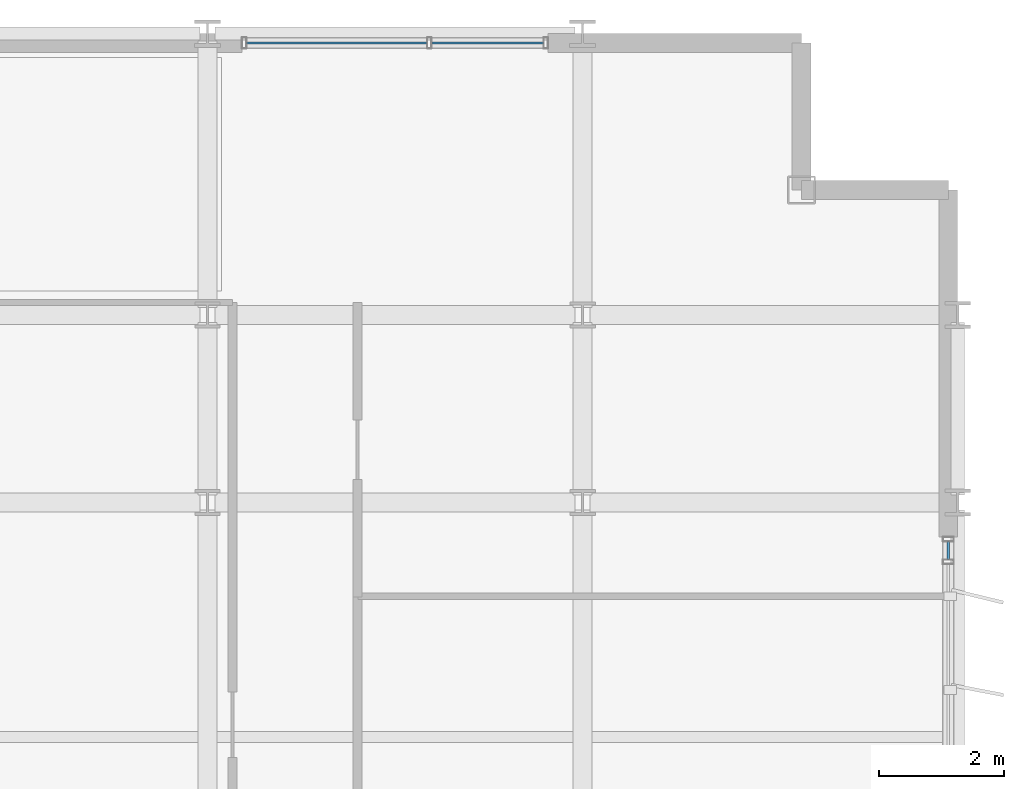
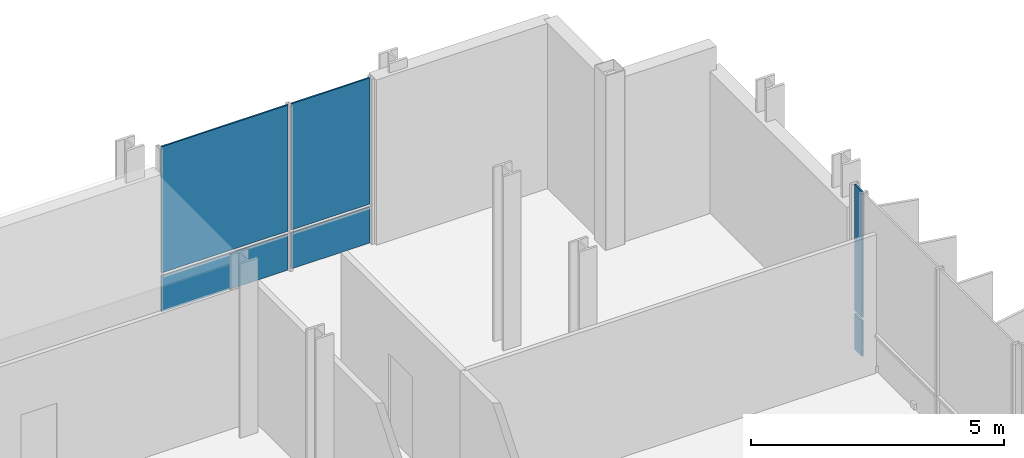
# One storey, part 23 of 32: 6 plates, 2 elements without a shape of their own.
"""IFC4 building model written with IfcOpenShell, lengths in metres."""

import ifcopenshell
import ifcopenshell.guid

model = None  # the IFC model being written
_history = None  # IfcOwnerHistory: only IFC2X3 demands one
_inside = {}  # id of a spatial element -> (the spatial element, [elements in it])
_under = {}  # id of a project, library or spatial element -> (it, [spatial elements below it])
_declared = {}  # id of a project -> (the project, [libraries it declares])
_typed = {}  # id of a type object -> (the type object, [elements of that type])
_made_of = {}  # id of a material, layer set ... -> (it, [elements and type objects made of it])


def new_model(schema):
    """Start an empty IFC model of exactly this schema.

    Asked for "IFC4X3", IfcOpenShell would pick the latest addendum, in which some entities
    have other attributes; the version numbers below select the first issue.
    IFC2X3 requires an IfcOwnerHistory on every rooted entity: one is made here for all.
    """
    global model, _history
    if schema == "IFC4X3":
        model = ifcopenshell.file(schema_version=(4, 3, 0, 0))
    else:
        model = ifcopenshell.file(schema=schema)
    _inside.clear()
    _under.clear()
    _declared.clear()
    _typed.clear()
    _made_of.clear()
    _history = None
    if model.schema == "IFC2X3":
        org = make("IfcOrganization", Name="unknown")
        user = make(
            "IfcPersonAndOrganization",
            ThePerson=make("IfcPerson", FamilyName="unknown"),
            TheOrganization=org,
        )
        app = make(
            "IfcApplication",
            ApplicationDeveloper=org,
            Version="unknown",
            ApplicationFullName="unknown",
            ApplicationIdentifier="unknown",
        )
        _history = make(
            "IfcOwnerHistory",
            OwningUser=user,
            OwningApplication=app,
            ChangeAction="ADDED",
            CreationDate=0,
        )
    return model


def make(cls, **values):
    """One entity of the class cls with the attributes given. An attribute that is None is left unset."""
    return model.create_entity(
        cls, **{name: value for name, value in values.items() if value is not None}
    )


def rooted(cls, **values):
    """An entity with a GlobalId (a new one), such as an element, a storey or a relation."""
    return make(cls, GlobalId=ifcopenshell.guid.new(), OwnerHistory=_history, **values)


def si_unit(unit_type, name, prefix=None):
    """IfcSIUnit, for example si_unit("LENGTHUNIT", "METRE", prefix="MILLI")."""
    return make("IfcSIUnit", UnitType=unit_type, Prefix=prefix, Name=name)


def assignment(units):
    """IfcUnitAssignment: the units of a project."""
    return None if units is None else make("IfcUnitAssignment", Units=units)


def point(xyz):
    """IfcCartesianPoint."""
    return None if xyz is None else make("IfcCartesianPoint", Coordinates=xyz)


def direction(xyz):
    """IfcDirection."""
    return None if xyz is None else make("IfcDirection", DirectionRatios=xyz)


def frame(location, z_axis=None, x_axis=None):
    """IfcAxis2Placement3D, a coordinate frame: its origin and axes. An axis left out is left unset."""
    return make(
        "IfcAxis2Placement3D",
        Location=point(location),
        Axis=direction(z_axis),
        RefDirection=direction(x_axis),
    )


def frame_2d(location, x_axis=None):
    """IfcAxis2Placement2D, a coordinate frame in the plane: its origin and x axis."""
    return make(
        "IfcAxis2Placement2D", Location=point(location), RefDirection=direction(x_axis)
    )


def origin():
    """The frame at (0, 0, 0) with its axes left unset."""
    return frame((0.0, 0.0, 0.0))


def origin_2d():
    """The frame at (0, 0) in the plane with its x axis left unset."""
    return frame_2d((0.0, 0.0))


def place(relative_to, where):
    """IfcLocalPlacement: puts the frame where relative to a parent placement (None: the world)."""
    return make(
        "IfcLocalPlacement", PlacementRelTo=relative_to, RelativePlacement=where
    )


def context(
    kind, dimensions, precision=None, world=None, true_north=None, identifier=None
):
    """IfcGeometricRepresentationContext, for example the 3D "Model" context."""
    return make(
        "IfcGeometricRepresentationContext",
        ContextIdentifier=identifier,
        ContextType=kind,
        CoordinateSpaceDimension=dimensions,
        Precision=precision,
        WorldCoordinateSystem=world,
        TrueNorth=true_north,
    )


def subcontext(parent, identifier, kind, view, scale=None):
    """IfcGeometricRepresentationSubContext, for example "Body" below "Model"."""
    return make(
        "IfcGeometricRepresentationSubContext",
        ContextIdentifier=identifier,
        ContextType=kind,
        ParentContext=parent,
        TargetScale=scale,
        TargetView=view,
    )


def project(units=None, contexts=None):
    """IfcProject with its units and contexts."""
    return rooted(
        "IfcProject",
        Name="project",
        RepresentationContexts=contexts,
        UnitsInContext=assignment(units),
    )


def spatial(cls, under=None, at=None, **own):
    """A site, building, storey or space (cls), placed at a placement, below another one or the project."""
    s = rooted(cls, ObjectPlacement=at, **own)
    if under is not None:
        _under.setdefault(under.id(), (under, []))[1].append(s)
    return s


def profile(cls, at=None, kind="AREA", **sizes):
    """A parametric profile (cls). Its sizes go by their IFC names, for example OverallWidth=200.0."""
    return make(cls, ProfileType=kind, Position=at, **sizes)


def rectangle(**sizes):
    """IfcRectangleProfileDef."""
    return profile("IfcRectangleProfileDef", **sizes)


def extrude(swept, where, along, depth):
    """IfcExtrudedAreaSolid: the profile swept, set in the frame where, extruded along a direction by depth."""
    return make(
        "IfcExtrudedAreaSolid",
        SweptArea=swept,
        Position=where,
        ExtrudedDirection=direction(along),
        Depth=depth,
    )


def shape(context_of_items, identifier, shape_type, items):
    """IfcShapeRepresentation: the items that make up one representation, for example the "Body"."""
    return make(
        "IfcShapeRepresentation",
        ContextOfItems=context_of_items,
        RepresentationIdentifier=identifier,
        RepresentationType=shape_type,
        Items=items,
    )


def material(Name=None, Category=None):
    """IfcMaterial."""
    return make("IfcMaterial", Name=Name, Category=Category)


def layer(
    of_material, thickness, ventilated=None, Name=None, Category=None, Priority=None
):
    """IfcMaterialLayer: one layer of a wall or slab, of a material (None: an air gap)."""
    return make(
        "IfcMaterialLayer",
        Material=of_material,
        LayerThickness=thickness,
        IsVentilated=ventilated,
        Name=Name,
        Category=Category,
        Priority=Priority,
    )


def layer_set(layers, Name=None):
    """IfcMaterialLayerSet."""
    return make("IfcMaterialLayerSet", MaterialLayers=layers, LayerSetName=Name)


def made_of(thing, what):
    """Note that an element or type object is made of a material, layer set ...; save() writes the relation."""
    if what is not None:
        _made_of.setdefault(what.id(), (what, []))[1].append(thing)
    return thing


def type_object(cls, material=None, **own):
    """A type object (cls), such as IfcWallType, which elements share."""
    return made_of(rooted(cls, **own), material)


def element(
    cls,
    number,
    at=None,
    inside=None,
    cuts=None,
    type_object=None,
    material=None,
    context=None,
    identifier="Body",
    shape_type=None,
    held_by="IfcProductDefinitionShape",
    body=None,
    shapes=None,
    **own,
):
    """One element of the class cls, such as IfcWall. Its Tag is "e" and its number.

    at: its placement. inside: the storey or other place that contains it. cuts: it is an
    opening in that element (IfcRelVoidsElement). A single representation is given by context,
    identifier, shape_type and body (its items); several are given by shapes. held_by: the class
    of the entity that holds the representations. save() writes the other relations.
    """
    e = rooted(cls, Tag="e%d" % number, ObjectPlacement=at, **own)
    if body is not None:
        shapes = [shape(context, identifier, shape_type, body)]
    if shapes is not None:
        e.Representation = make(held_by, Representations=shapes)
    if inside is not None:
        _inside.setdefault(inside.id(), (inside, []))[1].append(e)
    if cuts is not None:
        rooted(
            "IfcRelVoidsElement", RelatingBuildingElement=cuts, RelatedOpeningElement=e
        )
    if type_object is not None:
        _typed.setdefault(type_object.id(), (type_object, []))[1].append(e)
    return made_of(e, material)


def aggregate(whole, parts):
    """IfcRelAggregates: a whole, such as a stair, and the parts it consists of."""
    return rooted("IfcRelAggregates", RelatingObject=whole, RelatedObjects=parts)


def save(model, path):
    """Write the relations noted so far, then the file.

    IfcRelAggregates (storeys below a building ...), IfcRelContainedInSpatialStructure (elements
    in a storey), IfcRelDefinesByType, IfcRelAssociatesMaterial and IfcRelDeclares: one each for
    every whole, place, type object, material and project.
    """
    for whole, parts in _under.values():
        aggregate(whole, parts)
    for where, things in _inside.values():
        rooted(
            "IfcRelContainedInSpatialStructure",
            RelatedElements=things,
            RelatingStructure=where,
        )
    for kind, things in _typed.values():
        rooted("IfcRelDefinesByType", RelatedObjects=things, RelatingType=kind)
    for what, things in _made_of.values():
        rooted("IfcRelAssociatesMaterial", RelatedObjects=things, RelatingMaterial=what)
    for by, libraries in _declared.values():
        rooted("IfcRelDeclares", RelatingContext=by, RelatedDefinitions=libraries)
    model.write(path)


model = new_model("IFC4")

# Units and contexts
model_context = context("Model", 3, precision=1e-05, world=origin(), true_north=direction((0.0, 1.0)))
body_context = subcontext(model_context, "Body", "Model", "MODEL_VIEW")
ifc_project = project(units=[si_unit("LENGTHUNIT", "METRE"), si_unit("AREAUNIT", "SQUARE_METRE"), si_unit("VOLUMEUNIT", "CUBIC_METRE"), si_unit("PLANEANGLEUNIT", "RADIAN"), si_unit("MASSUNIT", "GRAM", prefix="KILO")], contexts=[model_context])

# Site, building, storey
site_placement = place(None, origin())
site = spatial("IfcSite", under=ifc_project, at=site_placement, CompositionType="ELEMENT")
building_placement = place(site_placement, origin())
building = spatial("IfcBuilding", under=site, at=building_placement, Name="Brevholm Reach", CompositionType="ELEMENT")
storey_placement = place(building_placement, frame((0.0, 0.0, 134.5)))
storey = spatial("IfcBuildingStorey", under=building, at=storey_placement, Name="L40", CompositionType="ELEMENT", Elevation=134.5)

# Curtain wall, plates
ifc_material_1 = material(Name="Dark Anodised Aluminium 6063-T6 and Solar-Control Glass", Category="aluminium")
ifc_layer_1 = layer(ifc_material_1, 0.179931640625)
ifc_layer_set_1 = layer_set([ifc_layer_1], Name="Dark Anodised Aluminium 6063-T6 and Solar-Control Glass")
curtain_wall_type = type_object("IfcCurtainWallType", Name="CW-05", PredefinedType="NOTDEFINED", material=ifc_layer_set_1)
curtain_wall_1_placement = place(storey_placement, origin())
curtain_wall_1 = element("IfcCurtainWall", 1, at=curtain_wall_1_placement, inside=storey, type_object=curtain_wall_type, Name="L40 Curtain Wall CW-05", PredefinedType="NOTDEFINED")
ifc_material_2 = material(Name="Low-Iron Laminated Acoustic Glass", Category="glass")
ifc_layer_2 = layer(ifc_material_2, 0.035888671875)
ifc_layer_set_2 = layer_set([ifc_layer_2], Name="Low-Iron Laminated Acoustic Glass")
plate_type = type_object("IfcPlateType", Name="CWP-GLZ-36", PredefinedType="CURTAIN_PANEL", material=ifc_layer_set_2)
plate_1_placement = place(storey_placement, frame((59.85009765625, 22.731201171875, 0.0), z_axis=(0.0, 0.0, 1.0), x_axis=(0.0, 1.0, 0.0)))
plate_1 = element("IfcPlate", 2, at=plate_1_placement, type_object=plate_type, Name="CP-02 Glazing Panel 5.1", PredefinedType="CURTAIN_PANEL", context=body_context, shape_type="SweptSolid", body=[
    extrude(rectangle(XDim=0.28759765625, YDim=0.035888671875, at=origin_2d()), origin(), (0.0, 0.0, 1.0), 0.862548828125),
])
plate_2_placement = place(storey_placement, frame((59.85009765625, 22.731201171875, 0.9375), z_axis=(0.0, 0.0, 1.0), x_axis=(0.0, 1.0, 0.0)))
plate_2 = element("IfcPlate", 3, at=plate_2_placement, type_object=plate_type, Name="CP-02 Glazing Panel 5.2", PredefinedType="CURTAIN_PANEL", context=body_context, shape_type="SweptSolid", body=[
    extrude(rectangle(XDim=0.28759765625, YDim=0.035888671875, at=origin_2d()), origin(), (0.0, 0.0, 1.0), 3.04248046875),
])
aggregate(curtain_wall_1, [plate_1, plate_2])

curtain_wall_2_placement = place(storey_placement, origin())
curtain_wall_2 = element("IfcCurtainWall", 4, at=curtain_wall_2_placement, inside=storey, type_object=curtain_wall_type, Name="L40 Curtain Wall CW-05", PredefinedType="NOTDEFINED")
plate_3_placement = place(storey_placement, frame((50.06884765625, 30.85009765625, 0.0), z_axis=(0.0, 0.0, 1.0), x_axis=(1.0, 0.0, 0.0)))
plate_3 = element("IfcPlate", 5, at=plate_3_placement, type_object=plate_type, Name="CP-02 Glazing Panel 1.1", PredefinedType="CURTAIN_PANEL", context=body_context, shape_type="SweptSolid", body=[
    extrude(rectangle(XDim=2.887451171875, YDim=0.035888671875, at=origin_2d()), origin(), (0.0, 0.0, 1.0), 0.862548828125),
])
plate_4_placement = place(storey_placement, frame((50.06884765625, 30.85009765625, 0.9375), z_axis=(0.0, 0.0, 1.0), x_axis=(1.0, 0.0, 0.0)))
plate_4 = element("IfcPlate", 6, at=plate_4_placement, type_object=plate_type, Name="CP-02 Glazing Panel 1.2", PredefinedType="CURTAIN_PANEL", context=body_context, shape_type="SweptSolid", body=[
    extrude(rectangle(XDim=2.887451171875, YDim=0.035888671875, at=origin_2d()), origin(), (0.0, 0.0, 1.0), 3.04248046875),
])
plate_5_placement = place(storey_placement, frame((52.481201171875, 30.85009765625, 0.0), z_axis=(0.0, 0.0, 1.0), x_axis=(1.0, 0.0, 0.0)))
plate_5 = element("IfcPlate", 7, at=plate_5_placement, type_object=plate_type, Name="CP-02 Glazing Panel 2.1", PredefinedType="CURTAIN_PANEL", context=body_context, shape_type="SweptSolid", body=[
    extrude(rectangle(XDim=1.78759765625, YDim=0.035888671875, at=origin_2d()), origin(), (0.0, 0.0, 1.0), 0.862548828125),
])
plate_6_placement = place(storey_placement, frame((52.481201171875, 30.85009765625, 0.9375), z_axis=(0.0, 0.0, 1.0), x_axis=(1.0, 0.0, 0.0)))
plate_6 = element("IfcPlate", 8, at=plate_6_placement, type_object=plate_type, Name="CP-02 Glazing Panel 2.2", PredefinedType="CURTAIN_PANEL", context=body_context, shape_type="SweptSolid", body=[
    extrude(rectangle(XDim=1.78759765625, YDim=0.035888671875, at=origin_2d()), origin(), (0.0, 0.0, 1.0), 3.04248046875),
])
aggregate(curtain_wall_2, [plate_3, plate_4, plate_5, plate_6])

save(model, "model.ifc")
